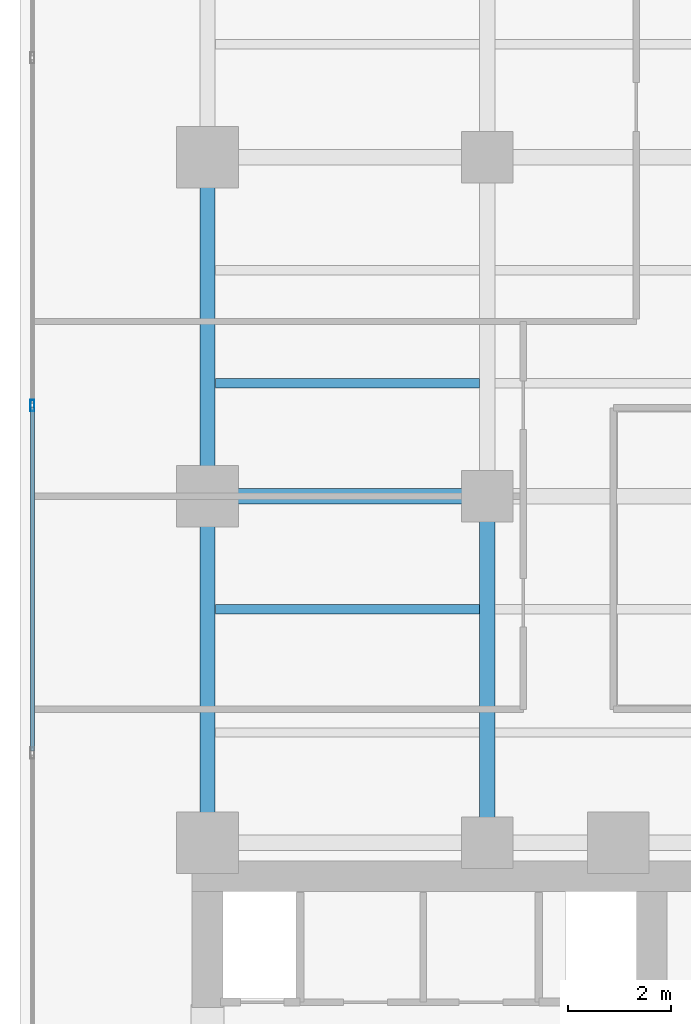
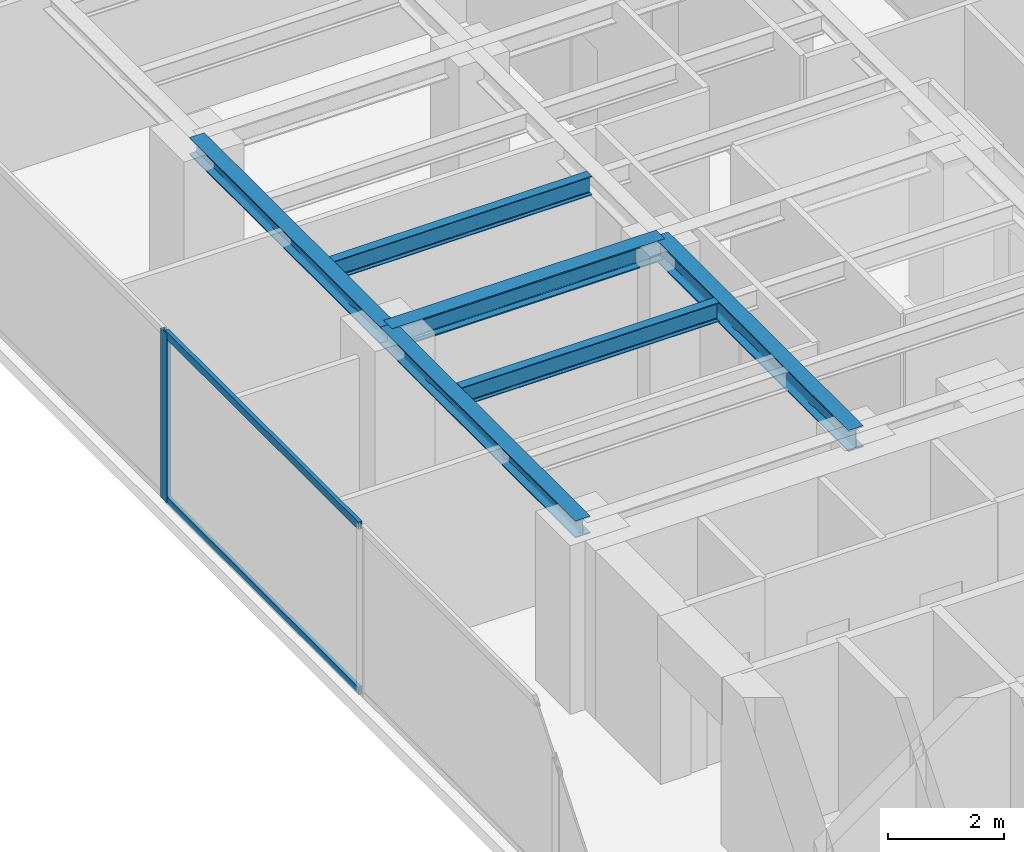
# One storey, part 8 of 27: 6 beams, 3 members, 1 element without a shape of its own.
"""IFC4 building model written with IfcOpenShell, lengths in metres."""

from ifc_helpers import new_model, si_unit, direction, frame, origin, origin_with_axes, origin_2d, place, context, subcontext, project, spatial, hollow_rectangle, i_section, extrude, source, transform, mapped, material, layer, layer_set, material_profile, profile_set, type_object, element, aggregate, save


model = new_model("IFC4")

# Units and contexts
model_context = context("Model", 3, precision=1e-05, world=origin(), true_north=direction((0.0, 1.0)))
body_context = subcontext(model_context, "Body", "Model", "MODEL_VIEW")
ifc_project = project(units=[si_unit("LENGTHUNIT", "METRE"), si_unit("AREAUNIT", "SQUARE_METRE"), si_unit("VOLUMEUNIT", "CUBIC_METRE"), si_unit("PLANEANGLEUNIT", "RADIAN"), si_unit("MASSUNIT", "GRAM", prefix="KILO")], contexts=[model_context])

# Site, building, storey
site_placement = place(None, origin())
site = spatial("IfcSite", under=ifc_project, at=site_placement, CompositionType="ELEMENT")
building_placement = place(site_placement, origin())
building = spatial("IfcBuilding", under=site, at=building_placement, Name="Kolvaren Waterfront Exchange", CompositionType="ELEMENT")
storey_placement = place(building_placement, frame((0.0, 0.0, 161.39990234375)))
storey = spatial("IfcBuildingStorey", under=building, at=storey_placement, Name="L41", CompositionType="ELEMENT", Elevation=161.39990234375)

# Beams
ifc_material_1 = material(Name="Steel S355", Category="steel")
ifc_material_profile_1 = material_profile(ifc_material_1, i_section(OverallWidth=0.300048828125, OverallDepth=0.360107421875, WebThickness=0.012451171875, FlangeThickness=0.0224609375, FilletRadius=0.027099609375, at=origin_2d()), Name="HEB360")
ifc_profile_set_1 = profile_set([ifc_material_profile_1], Name="Steel S355")
beam_type_1 = type_object("IfcBeamType", Name="STR-BM-HEB360", PredefinedType="SPANDREL", material=ifc_profile_set_1)
beam_1_placement = place(storey_placement, frame((7.449951171875, 24.449951171875, 3.380126953125), z_axis=(0.0, 1.0, 0.0), x_axis=(-1.0, 0.0, 0.0)))
element("IfcBeam", 1, at=beam_1_placement, inside=storey, type_object=beam_type_1, Name="L41 north-arm edge beam 1", PredefinedType="SPANDREL", context=body_context, shape_type="SweptSolid", body=[
    extrude(i_section(OverallWidth=0.300048828125, OverallDepth=0.360107421875, WebThickness=0.012451171875, FlangeThickness=0.0224609375, FilletRadius=0.027099609375, at=origin_2d()), origin(), (0.0, 0.0, 1.0), 6.75),
])
beam_2_placement = place(storey_placement, frame((7.449951171875, 31.199951171875, 3.380126953125), z_axis=(0.0, 1.0, 0.0), x_axis=(-1.0, 0.0, 0.0)))
element("IfcBeam", 2, at=beam_2_placement, inside=storey, type_object=beam_type_1, Name="L41 north-arm edge beam 2", PredefinedType="SPANDREL", context=body_context, shape_type="SweptSolid", body=[
    extrude(i_section(OverallWidth=0.300048828125, OverallDepth=0.360107421875, WebThickness=0.012451171875, FlangeThickness=0.0224609375, FilletRadius=0.027099609375, at=origin_2d()), origin(), (0.0, 0.0, 1.0), 6.60009765625),
])
ifc_material_profile_2 = material_profile(ifc_material_1, i_section(OverallWidth=0.300048828125, OverallDepth=0.449951171875, WebThickness=0.013916015625, FlangeThickness=0.02587890625, FilletRadius=0.027099609375, at=origin_2d()), Name="HEB450")
ifc_profile_set_2 = profile_set([ifc_material_profile_2], Name="Steel S355")
beam_type_2 = type_object("IfcBeamType", Name="STR-BM-HEB450", PredefinedType="BEAM", material=ifc_profile_set_2)
beam_3_placement = place(storey_placement, frame((7.449951171875, 31.199951171875, 3.335205078125), z_axis=(1.0, 0.0, 0.0), x_axis=(0.0, 1.0, 0.0)))
element("IfcBeam", 3, at=beam_3_placement, inside=storey, type_object=beam_type_2, Name="L41 north-arm girder 2A", PredefinedType="BEAM", context=body_context, shape_type="SweptSolid", body=[
    extrude(i_section(OverallWidth=0.300048828125, OverallDepth=0.449951171875, WebThickness=0.013916015625, FlangeThickness=0.02587890625, FilletRadius=0.027099609375, at=origin_2d()), origin(), (0.0, 0.0, 1.0), 5.449951171875),
])
beam_4_placement = place(storey_placement, frame((12.89990234375, 24.449951171875, 3.335205078125), z_axis=(0.0, 1.0, 0.0), x_axis=(-1.0, 0.0, 0.0)))
element("IfcBeam", 4, at=beam_4_placement, inside=storey, type_object=beam_type_2, Name="L41 north-arm edge beam 1", PredefinedType="BEAM", context=body_context, shape_type="SweptSolid", body=[
    extrude(i_section(OverallWidth=0.300048828125, OverallDepth=0.449951171875, WebThickness=0.013916015625, FlangeThickness=0.02587890625, FilletRadius=0.027099609375, at=origin_2d()), origin(), (0.0, 0.0, 1.0), 6.75),
])
ifc_material_profile_3 = material_profile(ifc_material_1, i_section(OverallWidth=0.179931640625, OverallDepth=0.39990234375, WebThickness=0.008544921875, FlangeThickness=0.013427734375, FilletRadius=0.02099609375, at=origin_2d()), Name="IPE400")
ifc_profile_set_3 = profile_set([ifc_material_profile_3], Name="Steel S355")
beam_type_3 = type_object("IfcBeamType", Name="STR-BM-IPE400", PredefinedType="JOIST", material=ifc_profile_set_3)
for number, where, z_axis, x_axis, name in (
    (5, (7.60205078125, 29.0, 3.360107421875), (1.0, 0.0, 0.0), (0.0, 1.0, 0.0), "L41 north-arm composite joist 2A"),
    (6, (7.60205078125, 33.39990234375, 3.360107421875), (1.0, 0.0, 0.0), (0.0, 1.0, 0.0), "L41 north-arm composite joist 3A"),
):
    element("IfcBeam", number, at=place(storey_placement, frame(where, z_axis=z_axis, x_axis=x_axis)), inside=storey, type_object=beam_type_3, Name=name, PredefinedType="JOIST", context=body_context, shape_type="SweptSolid", body=[
        extrude(i_section(OverallWidth=0.179931640625, OverallDepth=0.39990234375, WebThickness=0.008544921875, FlangeThickness=0.013427734375, FilletRadius=0.02099609375, at=origin_2d()), origin(), (0.0, 0.0, 1.0), 5.14599609375),
    ])

# Curtain wall, members
ifc_material_2 = material(Name="Anodised aluminium 6063-T6", Category="aluminium")
ifc_layer = layer(ifc_material_2, 0.219970703125, Name="Anodised aluminium 6063-T6")
ifc_layer_set = layer_set([ifc_layer], Name="Anodised aluminium 6063-T6")
curtain_wall_type = type_object("IfcCurtainWallType", Name="ARC-CW-SYS2", PredefinedType="USERDEFINED", material=ifc_layer_set)
curtain_wall_placement = place(storey_placement, origin())
curtain_wall = element("IfcCurtainWall", 7, at=curtain_wall_placement, inside=storey, type_object=curtain_wall_type, Name="L41 stick curtain wall CW2 (CW-L41-W)", ObjectType="STICK CURTAIN WALL", PredefinedType="USERDEFINED")
ifc_material_profile_4 = material_profile(ifc_material_2, hollow_rectangle(XDim=0.080078125, YDim=0.219970703125, WallThickness=0.0048828125, at=origin_2d()), Name="ALU-MUL-220x80x5")
ifc_profile_set_4 = profile_set([ifc_material_profile_4], Name="Anodised aluminium 6063-T6")
member_type_1 = type_object("IfcMemberType", Name="ARC-CWM-220", PredefinedType="MULLION", material=ifc_profile_set_4)
shared_shape_1 = source(origin_with_axes(), body_context, "Body", "SweptSolid", [
    extrude(hollow_rectangle(XDim=0.080078125, YDim=0.219970703125, WallThickness=0.0048828125, at=origin_2d()), origin(), (0.0, 0.0, 1.0), 3.56005859375),
])
member_1_placement = place(storey_placement, frame((4.0400390625, 32.966552734375, 0.0), z_axis=(0.0, 0.0, 1.0), x_axis=(-1.0, 0.0, 0.0)))
member_1 = element("IfcMember", 8, at=member_1_placement, type_object=member_type_1, Name="CW2 mullion 5", PredefinedType="MULLION", context=body_context, shape_type="MappedRepresentation", body=[
    mapped(shared_shape_1, transform((0.0, 0.0, 0.0), x_axis=(1.0, 0.0, 0.0), y_axis=(0.0, 1.0, 0.0), z_axis=(0.0, 0.0, 1.0), scale=1.0)),
])
ifc_material_profile_5 = material_profile(ifc_material_2, hollow_rectangle(XDim=0.074951171875, YDim=0.159912109375, WallThickness=0.00439453125, at=origin_2d()), Name="ALU-TRN-160x75x4.5")
ifc_profile_set_5 = profile_set([ifc_material_profile_5], Name="Anodised aluminium 6063-T6")
member_type_2 = type_object("IfcMemberType", Name="ARC-CWT-160", PredefinedType="USERDEFINED", material=ifc_profile_set_5)
shared_shape_2 = source(origin_with_axes(), body_context, "Body", "SweptSolid", [
    extrude(hollow_rectangle(XDim=0.074951171875, YDim=0.159912109375, WallThickness=0.00439453125, at=origin_2d()), origin(), (0.0, 0.0, 1.0), 6.686767578125),
])
member_2_placement = place(storey_placement, frame((4.0400390625, 26.239990234375, 0.03759765625), z_axis=(0.0, 1.0, 0.0), x_axis=(-1.0, 0.0, 0.0)))
member_2 = element("IfcMember", 9, at=member_2_placement, type_object=member_type_2, Name="CW2 transom 4.1", ObjectType="TRANSOM", PredefinedType="USERDEFINED", context=body_context, shape_type="MappedRepresentation", body=[
    mapped(shared_shape_2, transform((0.0, 0.0, 0.0), x_axis=(1.0, 0.0, 0.0), y_axis=(0.0, 1.0, 0.0), z_axis=(0.0, 0.0, 1.0), scale=1.0)),
])
member_3_placement = place(storey_placement, frame((4.0400390625, 26.239990234375, 3.522705078125), z_axis=(0.0, 1.0, 0.0), x_axis=(-1.0, 0.0, 0.0)))
member_3 = element("IfcMember", 10, at=member_3_placement, type_object=member_type_2, Name="CW2 transom 4.2", ObjectType="TRANSOM", PredefinedType="USERDEFINED", context=body_context, shape_type="MappedRepresentation", body=[
    mapped(shared_shape_2, transform((0.0, 0.0, 0.0), x_axis=(1.0, 0.0, 0.0), y_axis=(0.0, 1.0, 0.0), z_axis=(0.0, 0.0, 1.0), scale=1.0)),
])
aggregate(curtain_wall, [member_1, member_2, member_3])

save(model, "model.ifc")
